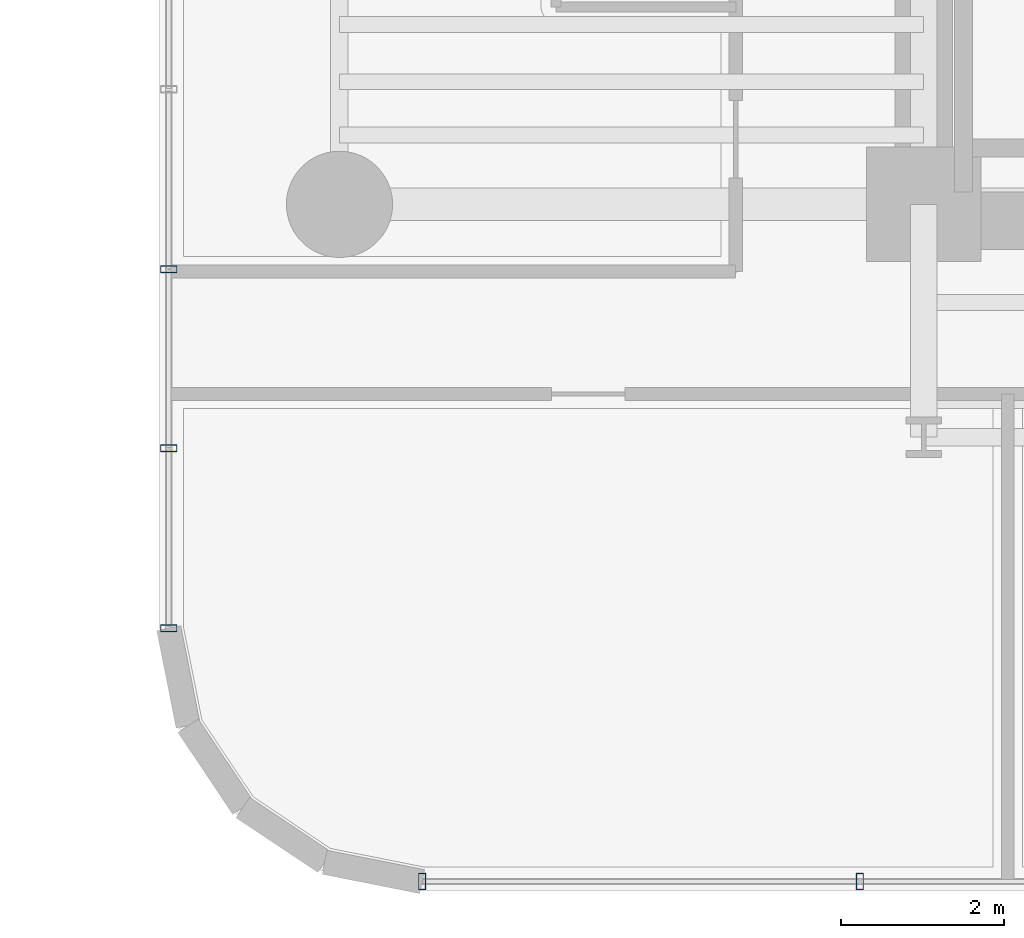
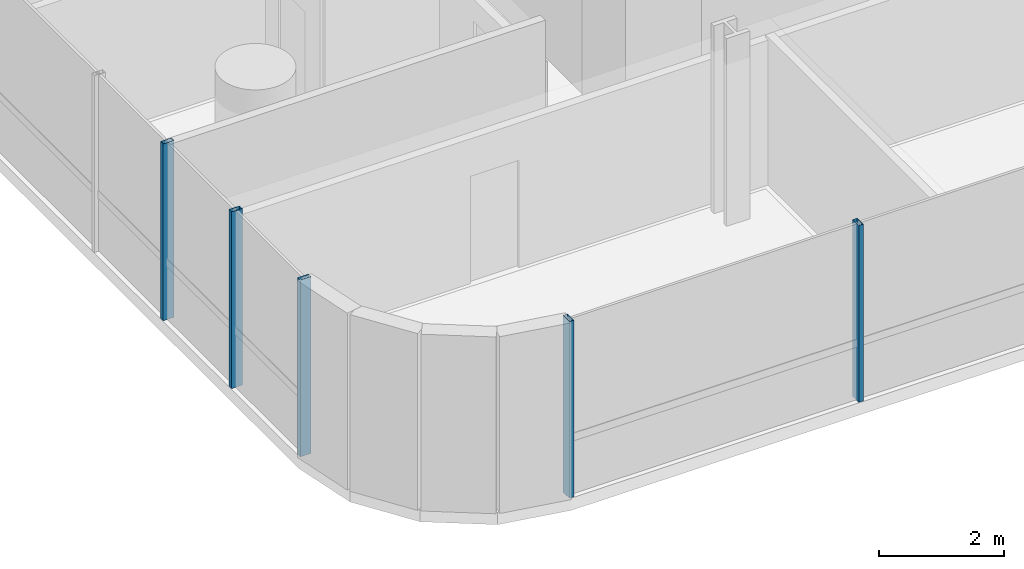
# One storey, part 2 of 40: 5 members, 2 elements without a shape of their own.
"""IFC4 building model written with IfcOpenShell, lengths in metres."""

import ifcopenshell
import ifcopenshell.guid

model = None  # the IFC model being written
_history = None  # IfcOwnerHistory: only IFC2X3 demands one
_inside = {}  # id of a spatial element -> (the spatial element, [elements in it])
_under = {}  # id of a project, library or spatial element -> (it, [spatial elements below it])
_declared = {}  # id of a project -> (the project, [libraries it declares])
_typed = {}  # id of a type object -> (the type object, [elements of that type])
_made_of = {}  # id of a material, layer set ... -> (it, [elements and type objects made of it])


def new_model(schema):
    """Start an empty IFC model of exactly this schema.

    Asked for "IFC4X3", IfcOpenShell would pick the latest addendum, in which some entities
    have other attributes; the version numbers below select the first issue.
    IFC2X3 requires an IfcOwnerHistory on every rooted entity: one is made here for all.
    """
    global model, _history
    if schema == "IFC4X3":
        model = ifcopenshell.file(schema_version=(4, 3, 0, 0))
    else:
        model = ifcopenshell.file(schema=schema)
    _inside.clear()
    _under.clear()
    _declared.clear()
    _typed.clear()
    _made_of.clear()
    _history = None
    if model.schema == "IFC2X3":
        org = make("IfcOrganization", Name="unknown")
        user = make(
            "IfcPersonAndOrganization",
            ThePerson=make("IfcPerson", FamilyName="unknown"),
            TheOrganization=org,
        )
        app = make(
            "IfcApplication",
            ApplicationDeveloper=org,
            Version="unknown",
            ApplicationFullName="unknown",
            ApplicationIdentifier="unknown",
        )
        _history = make(
            "IfcOwnerHistory",
            OwningUser=user,
            OwningApplication=app,
            ChangeAction="ADDED",
            CreationDate=0,
        )
    return model


def make(cls, **values):
    """One entity of the class cls with the attributes given. An attribute that is None is left unset."""
    return model.create_entity(
        cls, **{name: value for name, value in values.items() if value is not None}
    )


def rooted(cls, **values):
    """An entity with a GlobalId (a new one), such as an element, a storey or a relation."""
    return make(cls, GlobalId=ifcopenshell.guid.new(), OwnerHistory=_history, **values)


def si_unit(unit_type, name, prefix=None):
    """IfcSIUnit, for example si_unit("LENGTHUNIT", "METRE", prefix="MILLI")."""
    return make("IfcSIUnit", UnitType=unit_type, Prefix=prefix, Name=name)


def assignment(units):
    """IfcUnitAssignment: the units of a project."""
    return None if units is None else make("IfcUnitAssignment", Units=units)


def point(xyz):
    """IfcCartesianPoint."""
    return None if xyz is None else make("IfcCartesianPoint", Coordinates=xyz)


def direction(xyz):
    """IfcDirection."""
    return None if xyz is None else make("IfcDirection", DirectionRatios=xyz)


def frame(location, z_axis=None, x_axis=None):
    """IfcAxis2Placement3D, a coordinate frame: its origin and axes. An axis left out is left unset."""
    return make(
        "IfcAxis2Placement3D",
        Location=point(location),
        Axis=direction(z_axis),
        RefDirection=direction(x_axis),
    )


def frame_2d(location, x_axis=None):
    """IfcAxis2Placement2D, a coordinate frame in the plane: its origin and x axis."""
    return make(
        "IfcAxis2Placement2D", Location=point(location), RefDirection=direction(x_axis)
    )


def origin():
    """The frame at (0, 0, 0) with its axes left unset."""
    return frame((0.0, 0.0, 0.0))


def origin_2d():
    """The frame at (0, 0) in the plane with its x axis left unset."""
    return frame_2d((0.0, 0.0))


def place(relative_to, where):
    """IfcLocalPlacement: puts the frame where relative to a parent placement (None: the world)."""
    return make(
        "IfcLocalPlacement", PlacementRelTo=relative_to, RelativePlacement=where
    )


def context(
    kind, dimensions, precision=None, world=None, true_north=None, identifier=None
):
    """IfcGeometricRepresentationContext, for example the 3D "Model" context."""
    return make(
        "IfcGeometricRepresentationContext",
        ContextIdentifier=identifier,
        ContextType=kind,
        CoordinateSpaceDimension=dimensions,
        Precision=precision,
        WorldCoordinateSystem=world,
        TrueNorth=true_north,
    )


def subcontext(parent, identifier, kind, view, scale=None):
    """IfcGeometricRepresentationSubContext, for example "Body" below "Model"."""
    return make(
        "IfcGeometricRepresentationSubContext",
        ContextIdentifier=identifier,
        ContextType=kind,
        ParentContext=parent,
        TargetScale=scale,
        TargetView=view,
    )


def project(units=None, contexts=None):
    """IfcProject with its units and contexts."""
    return rooted(
        "IfcProject",
        Name="project",
        RepresentationContexts=contexts,
        UnitsInContext=assignment(units),
    )


def spatial(cls, under=None, at=None, **own):
    """A site, building, storey or space (cls), placed at a placement, below another one or the project."""
    s = rooted(cls, ObjectPlacement=at, **own)
    if under is not None:
        _under.setdefault(under.id(), (under, []))[1].append(s)
    return s


def profile(cls, at=None, kind="AREA", **sizes):
    """A parametric profile (cls). Its sizes go by their IFC names, for example OverallWidth=200.0."""
    return make(cls, ProfileType=kind, Position=at, **sizes)


def hollow_rectangle(**sizes):
    """IfcRectangleHollowProfileDef."""
    return profile("IfcRectangleHollowProfileDef", **sizes)


def extrude(swept, where, along, depth):
    """IfcExtrudedAreaSolid: the profile swept, set in the frame where, extruded along a direction by depth."""
    return make(
        "IfcExtrudedAreaSolid",
        SweptArea=swept,
        Position=where,
        ExtrudedDirection=direction(along),
        Depth=depth,
    )


def shape(context_of_items, identifier, shape_type, items):
    """IfcShapeRepresentation: the items that make up one representation, for example the "Body"."""
    return make(
        "IfcShapeRepresentation",
        ContextOfItems=context_of_items,
        RepresentationIdentifier=identifier,
        RepresentationType=shape_type,
        Items=items,
    )


def source(mapping_origin, context_of_items, identifier, shape_type, items):
    """IfcRepresentationMap: a shape defined once, which mapped items show again and again."""
    return make(
        "IfcRepresentationMap",
        MappingOrigin=mapping_origin,
        MappedRepresentation=shape(context_of_items, identifier, shape_type, items),
    )


def transform(
    local_origin,
    x_axis=None,
    y_axis=None,
    z_axis=None,
    scale=None,
    scale2=None,
    scale3=None,
    uniform=True,
):
    """IfcCartesianTransformationOperator3D, or its non-uniform kind. x_axis, y_axis, z_axis: its Axis1, 2, 3."""
    if uniform:
        return make(
            "IfcCartesianTransformationOperator3D",
            Axis1=direction(x_axis),
            Axis2=direction(y_axis),
            LocalOrigin=point(local_origin),
            Scale=scale,
            Axis3=direction(z_axis),
        )
    return make(
        "IfcCartesianTransformationOperator3DnonUniform",
        Axis1=direction(x_axis),
        Axis2=direction(y_axis),
        LocalOrigin=point(local_origin),
        Scale=scale,
        Axis3=direction(z_axis),
        Scale2=scale2,
        Scale3=scale3,
    )


def mapped(mapping_source, mapping_target):
    """IfcMappedItem: shows the shape of a source again, moved by a transform."""
    return make(
        "IfcMappedItem", MappingSource=mapping_source, MappingTarget=mapping_target
    )


def material(Name=None, Category=None):
    """IfcMaterial."""
    return make("IfcMaterial", Name=Name, Category=Category)


def material_profile(
    of_material, cross_section, Name=None, Category=None, Priority=None
):
    """IfcMaterialProfile: a cross section and its material."""
    return make(
        "IfcMaterialProfile",
        Name=Name,
        Material=of_material,
        Profile=cross_section,
        Priority=Priority,
        Category=Category,
    )


def profile_set(profiles, Name=None, composite=None):
    """IfcMaterialProfileSet."""
    return make(
        "IfcMaterialProfileSet",
        Name=Name,
        MaterialProfiles=profiles,
        CompositeProfile=composite,
    )


def made_of(thing, what):
    """Note that an element or type object is made of a material, layer set ...; save() writes the relation."""
    if what is not None:
        _made_of.setdefault(what.id(), (what, []))[1].append(thing)
    return thing


def type_object(cls, material=None, **own):
    """A type object (cls), such as IfcWallType, which elements share."""
    return made_of(rooted(cls, **own), material)


def element(
    cls,
    number,
    at=None,
    inside=None,
    cuts=None,
    type_object=None,
    material=None,
    context=None,
    identifier="Body",
    shape_type=None,
    held_by="IfcProductDefinitionShape",
    body=None,
    shapes=None,
    **own,
):
    """One element of the class cls, such as IfcWall. Its Tag is "e" and its number.

    at: its placement. inside: the storey or other place that contains it. cuts: it is an
    opening in that element (IfcRelVoidsElement). A single representation is given by context,
    identifier, shape_type and body (its items); several are given by shapes. held_by: the class
    of the entity that holds the representations. save() writes the other relations.
    """
    e = rooted(cls, Tag="e%d" % number, ObjectPlacement=at, **own)
    if body is not None:
        shapes = [shape(context, identifier, shape_type, body)]
    if shapes is not None:
        e.Representation = make(held_by, Representations=shapes)
    if inside is not None:
        _inside.setdefault(inside.id(), (inside, []))[1].append(e)
    if cuts is not None:
        rooted(
            "IfcRelVoidsElement", RelatingBuildingElement=cuts, RelatedOpeningElement=e
        )
    if type_object is not None:
        _typed.setdefault(type_object.id(), (type_object, []))[1].append(e)
    return made_of(e, material)


def aggregate(whole, parts):
    """IfcRelAggregates: a whole, such as a stair, and the parts it consists of."""
    return rooted("IfcRelAggregates", RelatingObject=whole, RelatedObjects=parts)


def save(model, path):
    """Write the relations noted so far, then the file.

    IfcRelAggregates (storeys below a building ...), IfcRelContainedInSpatialStructure (elements
    in a storey), IfcRelDefinesByType, IfcRelAssociatesMaterial and IfcRelDeclares: one each for
    every whole, place, type object, material and project.
    """
    for whole, parts in _under.values():
        aggregate(whole, parts)
    for where, things in _inside.values():
        rooted(
            "IfcRelContainedInSpatialStructure",
            RelatedElements=things,
            RelatingStructure=where,
        )
    for kind, things in _typed.values():
        rooted("IfcRelDefinesByType", RelatedObjects=things, RelatingType=kind)
    for what, things in _made_of.values():
        rooted("IfcRelAssociatesMaterial", RelatedObjects=things, RelatingMaterial=what)
    for by, libraries in _declared.values():
        rooted("IfcRelDeclares", RelatingContext=by, RelatedDefinitions=libraries)
    model.write(path)


model = new_model("IFC4")

# Units and contexts
model_context = context("Model", 3, precision=1e-05, world=origin(), true_north=direction((0.0, 1.0)))
body_context = subcontext(model_context, "Body", "Model", "MODEL_VIEW")
ifc_project = project(units=[si_unit("LENGTHUNIT", "METRE"), si_unit("AREAUNIT", "SQUARE_METRE"), si_unit("VOLUMEUNIT", "CUBIC_METRE"), si_unit("PLANEANGLEUNIT", "RADIAN"), si_unit("MASSUNIT", "GRAM", prefix="KILO")], contexts=[model_context])

# Site, building, storey
site_placement = place(None, origin())
site = spatial("IfcSite", under=ifc_project, at=site_placement, CompositionType="ELEMENT")
building_placement = place(site_placement, origin())
building = spatial("IfcBuilding", under=site, at=building_placement, Name="Valdorenza Pilgrim Sanctuary Tower", CompositionType="ELEMENT")
storey_placement = place(building_placement, frame((0.0, 0.0, 81.5)))
storey = spatial("IfcBuildingStorey", under=building, at=storey_placement, Name="L20", CompositionType="ELEMENT", Elevation=81.5)

# Curtain wall, member
ifc_material_1 = material(Name="Curtain-wall IGU glazing", Category="glass")
curtain_wall_type = type_object("IfcCurtainWallType", Name="CW-SYS-02", PredefinedType="NOTDEFINED", material=ifc_material_1)
curtain_wall_1_placement = place(storey_placement, origin())
curtain_wall_1 = element("IfcCurtainWall", 1, at=curtain_wall_1_placement, inside=storey, type_object=curtain_wall_type, Name="L20 Curtain Wall CW-L20-1-1S1", PredefinedType="NOTDEFINED")
ifc_material_2 = material(Name="Anodised aluminium AW-6060", Category="aluminium")
ifc_material_profile = material_profile(ifc_material_2, hollow_rectangle(XDim=0.0849609375, YDim=0.199951171875, WallThickness=0.0048828125, at=origin_2d()), Name="ALU-M 200x85x5")
ifc_profile_set = profile_set([ifc_material_profile], Name="Anodised aluminium AW-6060")
member_type = type_object("IfcMemberType", Name="CW-MUL-02", PredefinedType="MULLION", material=ifc_profile_set)
shared_shape = source(origin(), body_context, "Body", "SweptSolid", [
    extrude(hollow_rectangle(XDim=0.0849609375, YDim=0.199951171875, WallThickness=0.0048828125, at=origin_2d()), origin(), (0.0, 0.0, 1.0), 3.4599609375),
])
member_1_placement = place(storey_placement, frame((-31.889892578125, -15.789306640625, 0.0), z_axis=(0.0, 0.0, 1.0), x_axis=(0.0, 1.0, 0.0)))
member_1 = element("IfcMember", 2, at=member_1_placement, type_object=member_type, Name="CW-L20-1-1S1 Mullion 1", PredefinedType="MULLION", context=body_context, shape_type="MappedRepresentation", body=[
    mapped(shared_shape, transform((0.0, 0.0, 0.0), x_axis=(1.0, 0.0, 0.0), y_axis=(0.0, 1.0, 0.0), z_axis=(0.0, 0.0, 1.0), scale=1.0)),
])

# Curtain wall, members
curtain_wall_2_placement = place(storey_placement, origin())
curtain_wall_2 = element("IfcCurtainWall", 3, at=curtain_wall_2_placement, inside=storey, type_object=curtain_wall_type, Name="L20 Curtain Wall CW-L20-1-46", PredefinedType="NOTDEFINED")
member_2_placement = place(storey_placement, frame((-23.4296875, -18.889892578125, 0.0), z_axis=(0.0, 0.0, 1.0), x_axis=(-1.0, 0.0, 0.0)))
member_2 = element("IfcMember", 4, at=member_2_placement, type_object=member_type, Name="CW-L20-1-46 Mullion 3", PredefinedType="MULLION", context=body_context, shape_type="MappedRepresentation", body=[
    mapped(shared_shape, transform((0.0, 0.0, 0.0), x_axis=(1.0, 0.0, 0.0), y_axis=(0.0, 1.0, 0.0), z_axis=(0.0, 0.0, 1.0), scale=1.0)),
])
member_3_placement = place(storey_placement, frame((-28.789306640625, -18.889892578125, 0.0), z_axis=(0.0, 0.0, 1.0), x_axis=(-1.0, 0.0, 0.0)))
member_3 = element("IfcMember", 5, at=member_3_placement, type_object=member_type, Name="CW-L20-1-46 Mullion 4", PredefinedType="MULLION", context=body_context, shape_type="MappedRepresentation", body=[
    mapped(shared_shape, transform((0.0, 0.0, 0.0), x_axis=(1.0, 0.0, 0.0), y_axis=(0.0, 1.0, 0.0), z_axis=(0.0, 0.0, 1.0), scale=1.0)),
])
aggregate(curtain_wall_2, [member_2, member_3])

# Member
member_4_placement = place(storey_placement, frame((-31.889892578125, -13.586669921875, 0.0), z_axis=(0.0, 0.0, 1.0), x_axis=(0.0, 1.0, 0.0)))
member_4 = element("IfcMember", 6, at=member_4_placement, type_object=member_type, Name="CW-L20-1-1S1 Sub-Mullion 36-1", PredefinedType="MULLION", context=body_context, shape_type="MappedRepresentation", body=[
    mapped(shared_shape, transform((0.0, 0.0, 0.0), x_axis=(1.0, 0.0, 0.0), y_axis=(0.0, 1.0, 0.0), z_axis=(0.0, 0.0, 1.0), scale=1.0)),
])

member_5_placement = place(storey_placement, frame((-31.889892578125, -11.394287109375, 0.0), z_axis=(0.0, 0.0, 1.0), x_axis=(0.0, 1.0, 0.0)))
member_5 = element("IfcMember", 7, at=member_5_placement, type_object=member_type, Name="CW-L20-1-1S1 Sub-Mullion 36-2", PredefinedType="MULLION", context=body_context, shape_type="MappedRepresentation", body=[
    mapped(shared_shape, transform((0.0, 0.0, 0.0), x_axis=(1.0, 0.0, 0.0), y_axis=(0.0, 1.0, 0.0), z_axis=(0.0, 0.0, 1.0), scale=1.0)),
])

aggregate(curtain_wall_1, [member_1, member_4, member_5])

save(model, "model.ifc")
